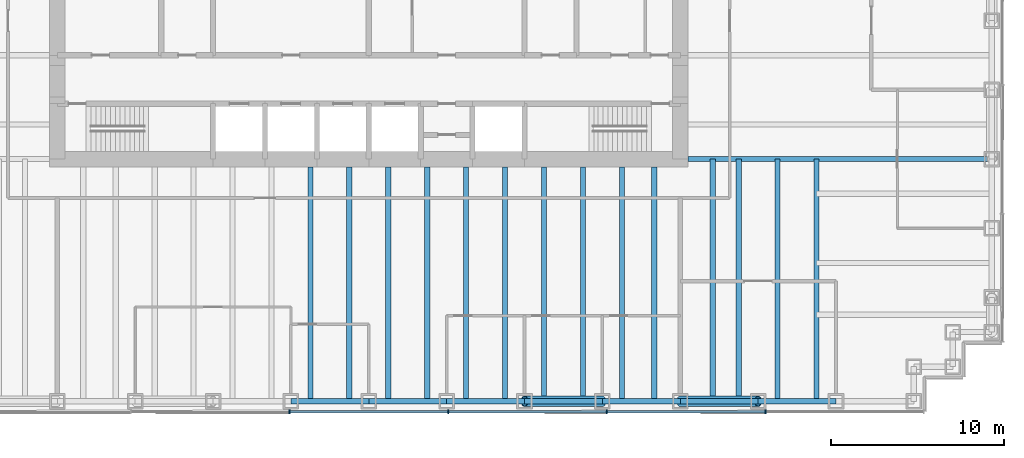
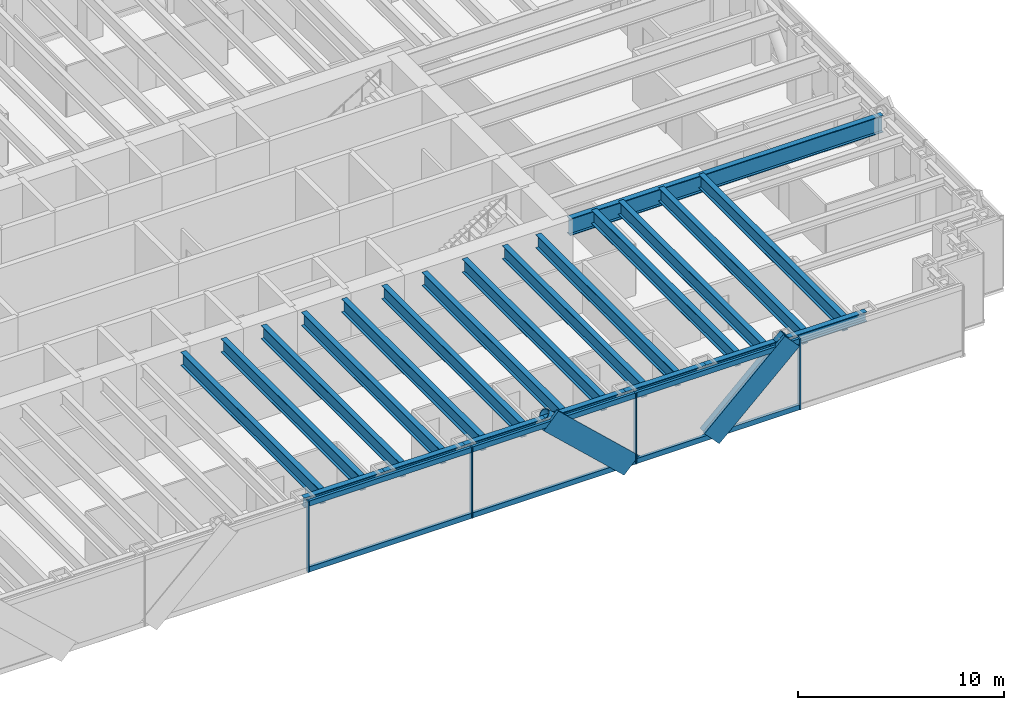
# One storey, part 4 of 15: 22 beams, 14 members, 1 element without a shape of its own.
"""IFC4 building model written with IfcOpenShell, lengths in metres."""

from ifc_helpers import new_model, si_unit, direction, frame, origin, origin_2d, place, context, subcontext, project, spatial, rectangle, hollow_circle, i_section, extrude, material, material_profile, profile_set, type_object, element, aggregate, save


model = new_model("IFC4")

# Units and contexts
model_context = context("Model", 3, precision=1e-05, world=origin(), true_north=direction((0.0, 1.0)))
body_context = subcontext(model_context, "Body", "Model", "MODEL_VIEW")
ifc_project = project(units=[si_unit("LENGTHUNIT", "METRE"), si_unit("AREAUNIT", "SQUARE_METRE"), si_unit("VOLUMEUNIT", "CUBIC_METRE"), si_unit("PLANEANGLEUNIT", "RADIAN"), si_unit("MASSUNIT", "GRAM", prefix="KILO")], contexts=[model_context])

# Site, building, storey
site_placement = place(None, origin())
site = spatial("IfcSite", under=ifc_project, at=site_placement, CompositionType="ELEMENT")
building_placement = place(site_placement, origin())
building = spatial("IfcBuilding", under=site, at=building_placement, Name="Rheinbord Bourse Tower", CompositionType="ELEMENT")
storey_placement = place(building_placement, frame((0.0, 0.0, 142.5)))
storey = spatial("IfcBuildingStorey", under=building, at=storey_placement, Name="L31", CompositionType="ELEMENT", Elevation=142.5)

# Curtain wall, members
ifc_material_1 = material(Name="Dark glass and black aluminium", Category="aluminium")
curtain_wall_type = type_object("IfcCurtainWallType", Name="CW2 DARK GLASS CURTAIN WALL", PredefinedType="USERDEFINED", material=ifc_material_1)
curtain_wall_placement = place(storey_placement, origin())
curtain_wall = element("IfcCurtainWall", 1, at=curtain_wall_placement, inside=storey, type_object=curtain_wall_type, Name="Curtain wall CW2 S L31", ObjectType="UNITISED CURTAIN WALL", PredefinedType="USERDEFINED")
ifc_material_2 = material(Name="Black anodised aluminium", Category="aluminium")
ifc_material_profile_1 = material_profile(ifc_material_2, rectangle(XDim=0.159912109375, YDim=1.2099609375, at=origin_2d()), Name="CW2 DIAGONAL MULLION 1210x160")
ifc_profile_set_1 = profile_set([ifc_material_profile_1], Name="Black anodised aluminium")
member_type_1 = type_object("IfcMemberType", Name="CW2 BLACK DIAGONAL MULLION", PredefinedType="USERDEFINED", material=ifc_profile_set_1)
member_1_placement = place(storey_placement, frame((49.5, 1.39990234375, 0.0), z_axis=(-0.73105922506, 0.0, 0.682314010889), x_axis=(0.0, -1.0, 0.0)))
member_1 = element("IfcMember", 2, at=member_1_placement, type_object=member_type_1, Name="CW2 diagonal mullion b", ObjectType="DIAGONAL MULLION", PredefinedType="USERDEFINED", context=body_context, shape_type="SweptSolid", body=[
    extrude(rectangle(XDim=0.159912109375, YDim=1.2099609375, at=origin_2d()), origin(), (0.0, 0.0, 1.0), 6.155517578125),
])
member_2_placement = place(storey_placement, frame((54.0, 1.39990234375, 0.0), z_axis=(0.73105922506, 0.0, 0.682314010889), x_axis=(0.0, 1.0, 0.0)))
member_2 = element("IfcMember", 3, at=member_2_placement, type_object=member_type_1, Name="CW2 diagonal mullion c", ObjectType="DIAGONAL MULLION", PredefinedType="USERDEFINED", context=body_context, shape_type="SweptSolid", body=[
    extrude(rectangle(XDim=0.159912109375, YDim=1.2099609375, at=origin_2d()), origin(), (0.0, 0.0, 1.0), 6.155517578125),
])
ifc_material_3 = material(Name="Black anodised aluminium", Category="aluminium")
ifc_material_profile_2 = material_profile(ifc_material_3, rectangle(XDim=0.219970703125, YDim=0.070068359375, at=origin_2d()), Name="CW2 MULLION 70x220")
ifc_profile_set_2 = profile_set([ifc_material_profile_2], Name="Black anodised aluminium")
member_type_2 = type_object("IfcMemberType", Name="CW2 BLACK MULLION", PredefinedType="MULLION", material=ifc_profile_set_2)
member_3_placement = place(storey_placement, frame((31.414306640625, 1.39990234375, 0.0), z_axis=(0.0, 0.0, 1.0), x_axis=(0.0, 1.0, 0.0)))
member_3 = element("IfcMember", 4, at=member_3_placement, type_object=member_type_2, Name="CW2 mullion 4", PredefinedType="MULLION", context=body_context, shape_type="SweptSolid", body=[
    extrude(rectangle(XDim=0.219970703125, YDim=0.070068359375, at=origin_2d()), origin(), (0.0, 0.0, 1.0), 4.199951171875),
])
member_4_placement = place(storey_placement, frame((40.585693359375, 1.39990234375, 0.0), z_axis=(0.0, 0.0, 1.0), x_axis=(0.0, 1.0, 0.0)))
member_4 = element("IfcMember", 5, at=member_4_placement, type_object=member_type_2, Name="CW2 mullion 5", PredefinedType="MULLION", context=body_context, shape_type="SweptSolid", body=[
    extrude(rectangle(XDim=0.219970703125, YDim=0.070068359375, at=origin_2d()), origin(), (0.0, 0.0, 1.0), 4.199951171875),
])
member_5_placement = place(storey_placement, frame((49.757080078125, 1.39990234375, 0.0), z_axis=(0.0, 0.0, 1.0), x_axis=(0.0, 1.0, 0.0)))
member_5 = element("IfcMember", 6, at=member_5_placement, type_object=member_type_2, Name="CW2 mullion 6", PredefinedType="MULLION", context=body_context, shape_type="SweptSolid", body=[
    extrude(rectangle(XDim=0.219970703125, YDim=0.070068359375, at=origin_2d()), origin(), (0.0, 0.0, 1.0), 4.199951171875),
])
member_6_placement = place(storey_placement, frame((58.928466796875, 1.39990234375, 0.0), z_axis=(0.0, 0.0, 1.0), x_axis=(0.0, 1.0, 0.0)))
member_6 = element("IfcMember", 7, at=member_6_placement, type_object=member_type_2, Name="CW2 mullion 7", PredefinedType="MULLION", context=body_context, shape_type="SweptSolid", body=[
    extrude(rectangle(XDim=0.219970703125, YDim=0.070068359375, at=origin_2d()), origin(), (0.0, 0.0, 1.0), 4.199951171875),
])
ifc_material_4 = material(Name="Black anodised aluminium", Category="aluminium")
ifc_material_profile_3 = material_profile(ifc_material_4, rectangle(XDim=0.159912109375, YDim=0.300048828125, at=origin_2d()), Name="CW2 TRANSOM 300x160")
ifc_profile_set_3 = profile_set([ifc_material_profile_3], Name="Black anodised aluminium")
member_type_3 = type_object("IfcMemberType", Name="CW2 BLACK TRANSOM", PredefinedType="USERDEFINED", material=ifc_profile_set_3)
member_7_placement = place(storey_placement, frame((31.44921875, 1.39990234375, 0.14990234375), z_axis=(1.0, 0.0, 0.0), x_axis=(0.0, 1.0, 0.0)))
member_7 = element("IfcMember", 8, at=member_7_placement, type_object=member_type_3, Name="CW2 transom 4.1", ObjectType="TRANSOM", PredefinedType="USERDEFINED", context=body_context, shape_type="SweptSolid", body=[
    extrude(rectangle(XDim=0.159912109375, YDim=0.300048828125, at=origin_2d()), origin(), (0.0, 0.0, 1.0), 9.1015625),
])
member_8_placement = place(storey_placement, frame((31.44921875, 1.39990234375, 4.050048828125), z_axis=(1.0, 0.0, 0.0), x_axis=(0.0, 1.0, 0.0)))
member_8 = element("IfcMember", 9, at=member_8_placement, type_object=member_type_3, Name="CW2 transom 4.2", ObjectType="TRANSOM", PredefinedType="USERDEFINED", context=body_context, shape_type="SweptSolid", body=[
    extrude(rectangle(XDim=0.159912109375, YDim=0.300048828125, at=origin_2d()), origin(), (0.0, 0.0, 1.0), 9.1015625),
])
member_9_placement = place(storey_placement, frame((40.62060546875, 1.39990234375, 0.14990234375), z_axis=(1.0, 0.0, 0.0), x_axis=(0.0, 1.0, 0.0)))
member_9 = element("IfcMember", 10, at=member_9_placement, type_object=member_type_3, Name="CW2 transom 5.1", ObjectType="TRANSOM", PredefinedType="USERDEFINED", context=body_context, shape_type="SweptSolid", body=[
    extrude(rectangle(XDim=0.159912109375, YDim=0.300048828125, at=origin_2d()), origin(), (0.0, 0.0, 1.0), 9.1015625),
])
member_10_placement = place(storey_placement, frame((40.62060546875, 1.39990234375, 4.050048828125), z_axis=(1.0, 0.0, 0.0), x_axis=(0.0, 1.0, 0.0)))
member_10 = element("IfcMember", 11, at=member_10_placement, type_object=member_type_3, Name="CW2 transom 5.2", ObjectType="TRANSOM", PredefinedType="USERDEFINED", context=body_context, shape_type="SweptSolid", body=[
    extrude(rectangle(XDim=0.159912109375, YDim=0.300048828125, at=origin_2d()), origin(), (0.0, 0.0, 1.0), 9.1015625),
])
member_11_placement = place(storey_placement, frame((49.792236328125, 1.39990234375, 0.14990234375), z_axis=(1.0, 0.0, 0.0), x_axis=(0.0, 1.0, 0.0)))
member_11 = element("IfcMember", 12, at=member_11_placement, type_object=member_type_3, Name="CW2 transom 6.1", ObjectType="TRANSOM", PredefinedType="USERDEFINED", context=body_context, shape_type="SweptSolid", body=[
    extrude(rectangle(XDim=0.159912109375, YDim=0.300048828125, at=origin_2d()), origin(), (0.0, 0.0, 1.0), 9.101318359375),
])
member_12_placement = place(storey_placement, frame((49.792236328125, 1.39990234375, 4.050048828125), z_axis=(1.0, 0.0, 0.0), x_axis=(0.0, 1.0, 0.0)))
member_12 = element("IfcMember", 13, at=member_12_placement, type_object=member_type_3, Name="CW2 transom 6.2", ObjectType="TRANSOM", PredefinedType="USERDEFINED", context=body_context, shape_type="SweptSolid", body=[
    extrude(rectangle(XDim=0.159912109375, YDim=0.300048828125, at=origin_2d()), origin(), (0.0, 0.0, 1.0), 9.101318359375),
])
aggregate(curtain_wall, [member_3, member_4, member_5, member_6, member_7, member_8, member_9, member_10, member_11, member_12, member_1, member_2])

# Beams
ifc_material_5 = material(Name="Steel S460", Category="steel")
ifc_material_profile_4 = material_profile(ifc_material_5, i_section(OverallWidth=0.300048828125, OverallDepth=0.800048828125, WebThickness=0.017578125, FlangeThickness=0.032958984375, at=origin_2d()), Name="HEB 800")
ifc_profile_set_4 = profile_set([ifc_material_profile_4], Name="Steel S460")
beam_type_1 = type_object("IfcBeamType", Name="FLOOR BEAM HEB 800", PredefinedType="BEAM", material=ifc_profile_set_4)
for number, where, z_axis, x_axis, name in (
    (14, (32.625, 2.0, 3.639892578125), (0.0, 1.0, 0.0), (-1.0, 0.0, 0.0), "Floor beam S-31.5a L32"),
    (15, (34.875, 2.0, 3.639892578125), (0.0, 1.0, 0.0), (-1.0, 0.0, 0.0), "Floor beam S-31.5b L32"),
    (16, (37.125, 2.0, 3.639892578125), (0.0, 1.0, 0.0), (-1.0, 0.0, 0.0), "Floor beam S-36a L32"),
    (17, (39.375, 2.0, 3.639892578125), (0.0, 1.0, 0.0), (-1.0, 0.0, 0.0), "Floor beam S-36b L32"),
    (18, (41.625, 2.0, 3.639892578125), (0.0, 1.0, 0.0), (-1.0, 0.0, 0.0), "Floor beam S-40.5a L32"),
    (19, (43.875, 2.0, 3.639892578125), (0.0, 1.0, 0.0), (-1.0, 0.0, 0.0), "Floor beam S-40.5b L32"),
    (20, (46.125, 2.0, 3.639892578125), (0.0, 1.0, 0.0), (-1.0, 0.0, 0.0), "Floor beam S-45a L32"),
    (21, (48.375, 2.0, 3.639892578125), (0.0, 1.0, 0.0), (-1.0, 0.0, 0.0), "Floor beam S-45b L32"),
    (22, (50.625, 2.0, 3.639892578125), (0.0, 1.0, 0.0), (-1.0, 0.0, 0.0), "Floor beam S-49.5a L32"),
    (23, (52.5, 2.0, 3.639892578125), (0.0, 1.0, 0.0), (-1.0, 0.0, 0.0), "Floor beam S-49.5b L32"),
):
    element("IfcBeam", number, at=place(storey_placement, frame(where, z_axis=z_axis, x_axis=x_axis)), inside=storey, type_object=beam_type_1, Name=name, PredefinedType="BEAM", context=body_context, shape_type="SweptSolid", body=[
        extrude(i_section(OverallWidth=0.300048828125, OverallDepth=0.800048828125, WebThickness=0.017578125, FlangeThickness=0.032958984375, at=origin_2d()), origin(), (0.0, 0.0, 1.0), 13.550048828125),
    ])
for number, where, z_axis, x_axis, name in (
    (24, (55.875, 2.0, 3.639892578125), (0.0, 1.0, 0.0), (-1.0, 0.0, 0.0), "Floor beam S-54a L32"),
    (25, (57.375, 2.0, 3.639892578125), (0.0, 1.0, 0.0), (-1.0, 0.0, 0.0), "Floor beam S-54b L32"),
    (26, (59.625, 2.0, 3.639892578125), (0.0, 1.0, 0.0), (-1.0, 0.0, 0.0), "Floor beam S-58.5a L32"),
    (27, (61.875, 2.0, 3.639892578125), (0.0, 1.0, 0.0), (-1.0, 0.0, 0.0), "Floor beam S-58.5b L32"),
):
    element("IfcBeam", number, at=place(storey_placement, frame(where, z_axis=z_axis, x_axis=x_axis)), inside=storey, type_object=beam_type_1, Name=name, PredefinedType="BEAM", context=body_context, shape_type="SweptSolid", body=[
        extrude(i_section(OverallWidth=0.300048828125, OverallDepth=0.800048828125, WebThickness=0.017578125, FlangeThickness=0.032958984375, at=origin_2d()), origin(), (0.0, 0.0, 1.0), 14.0),
    ])
ifc_material_6 = material(Name="Steel S460", Category="steel")
ifc_material_profile_5 = material_profile(ifc_material_6, i_section(OverallWidth=0.302001953125, OverallDepth=1.008056640625, WebThickness=0.02099609375, FlangeThickness=0.0400390625, at=origin_2d()), Name="HEM 1000")
ifc_profile_set_5 = profile_set([ifc_material_profile_5], Name="Steel S460")
beam_type_2 = type_object("IfcBeamType", Name="GIRDER HEM 1000", PredefinedType="BEAM", material=ifc_profile_set_5)
beam_placement = place(storey_placement, frame((54.449951171875, 16.0, 3.535888671875), z_axis=(1.0, 0.0, 0.0), x_axis=(0.0, 1.0, 0.0)))
element("IfcBeam", 28, at=beam_placement, inside=storey, type_object=beam_type_2, Name="Girder east 16 L32", PredefinedType="BEAM", context=body_context, shape_type="SweptSolid", body=[
    extrude(i_section(OverallWidth=0.302001953125, OverallDepth=1.008056640625, WebThickness=0.02099609375, FlangeThickness=0.0400390625, at=origin_2d()), origin(), (0.0, 0.0, 1.0), 17.550048828125),
])

# Members
ifc_material_7 = material(Name="Steel S460", Category="steel")
ifc_material_profile_6 = material_profile(ifc_material_7, hollow_circle(Radius=0.304931640625, WallThickness=0.0400390625, at=origin_2d()), Name="CHS 610x40")
ifc_profile_set_6 = profile_set([ifc_material_profile_6], Name="Steel S460")
member_type_4 = type_object("IfcMemberType", Name="MEGABRACE CHS 610x40", PredefinedType="BRACE", material=ifc_profile_set_6)
for number, where, z_axis, x_axis, name in (
    (29, (49.5, 2.0, 0.0), (-0.73105922506, 0.0, 0.682314010889), (0.0, -1.0, 0.0), "Megabrace S face line b L31"),
    (30, (54.0, 2.0, 0.0), (0.73105922506, 0.0, 0.682314010889), (0.0, 1.0, 0.0), "Megabrace S face line c L31"),
):
    element("IfcMember", number, at=place(storey_placement, frame(where, z_axis=z_axis, x_axis=x_axis)), inside=storey, type_object=member_type_4, Name=name, PredefinedType="BRACE", context=body_context, shape_type="SweptSolid", body=[
        extrude(hollow_circle(Radius=0.304931640625, WallThickness=0.0400390625, at=origin_2d()), origin(), (0.0, 0.0, 1.0), 6.155517578125),
    ])

# Beams
ifc_material_8 = material(Name="Steel S460", Category="steel")
ifc_material_profile_7 = material_profile(ifc_material_8, i_section(OverallWidth=0.305908203125, OverallDepth=0.572021484375, WebThickness=0.02099609375, FlangeThickness=0.0400390625, at=origin_2d()), Name="HEM 550")
ifc_profile_set_7 = profile_set([ifc_material_profile_7], Name="Steel S460")
beam_type_3 = type_object("IfcBeamType", Name="SPANDREL HEM 550", PredefinedType="SPANDREL", material=ifc_profile_set_7)
for number, where, z_axis, x_axis, name in (
    (31, (31.5, 2.0, 3.75390625), (1.0, 0.0, 0.0), (0.0, 1.0, 0.0), "Spandrel S-31.5-S-36 under L32"),
    (32, (36.0, 2.0, 3.75390625), (1.0, 0.0, 0.0), (0.0, 1.0, 0.0), "Spandrel S-36-S-40.5 under L32"),
    (33, (40.5, 2.0, 3.75390625), (1.0, 0.0, 0.0), (0.0, 1.0, 0.0), "Spandrel S-40.5-S-45 under L32"),
    (34, (45.0, 2.0, 3.75390625), (1.0, 0.0, 0.0), (0.0, 1.0, 0.0), "Spandrel S-45-S-49.5 under L32"),
    (35, (49.5, 2.0, 3.75390625), (1.0, 0.0, 0.0), (0.0, 1.0, 0.0), "Spandrel S-49.5-S-54 under L32"),
    (36, (54.0, 2.0, 3.75390625), (1.0, 0.0, 0.0), (0.0, 1.0, 0.0), "Spandrel S-54-S-58.5 under L32"),
    (37, (58.5, 2.0, 3.75390625), (1.0, 0.0, 0.0), (0.0, 1.0, 0.0), "Spandrel S-58.5-S-63 under L32"),
):
    element("IfcBeam", number, at=place(storey_placement, frame(where, z_axis=z_axis, x_axis=x_axis)), inside=storey, type_object=beam_type_3, Name=name, PredefinedType="SPANDREL", context=body_context, shape_type="SweptSolid", body=[
        extrude(i_section(OverallWidth=0.305908203125, OverallDepth=0.572021484375, WebThickness=0.02099609375, FlangeThickness=0.0400390625, at=origin_2d()), origin(), (0.0, 0.0, 1.0), 4.5),
    ])

save(model, "model.ifc")
